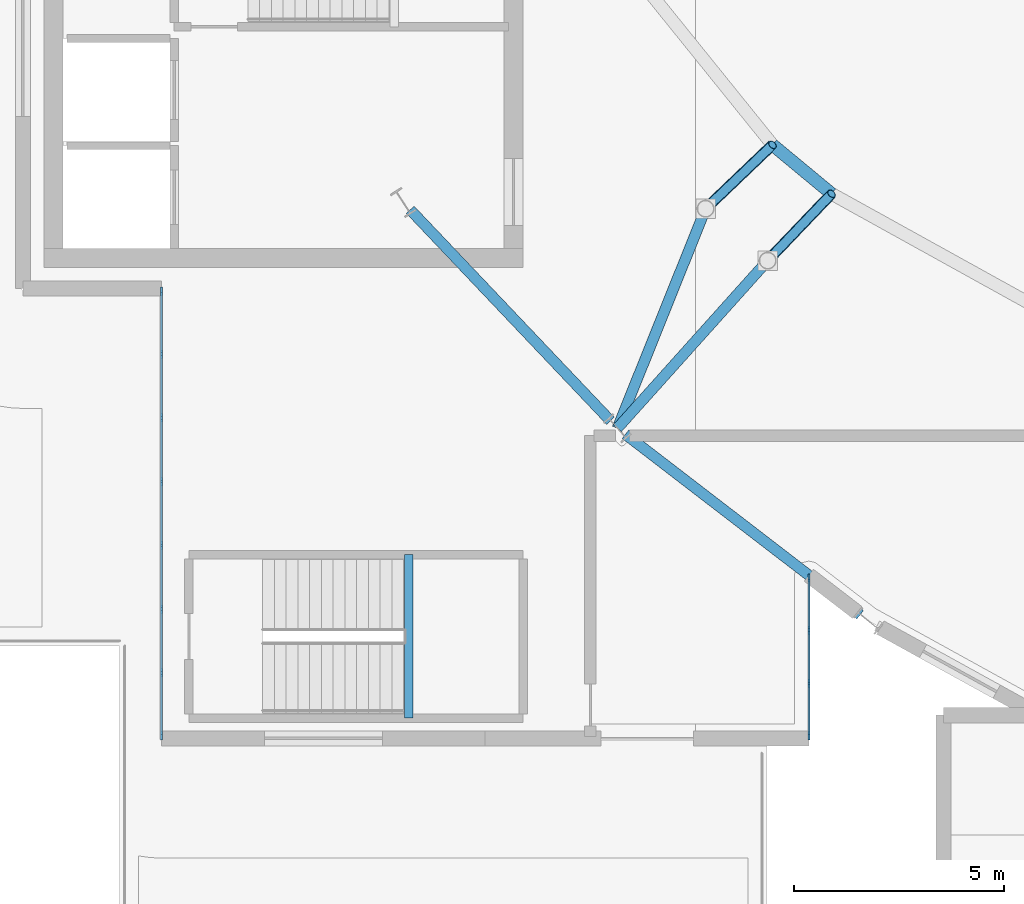
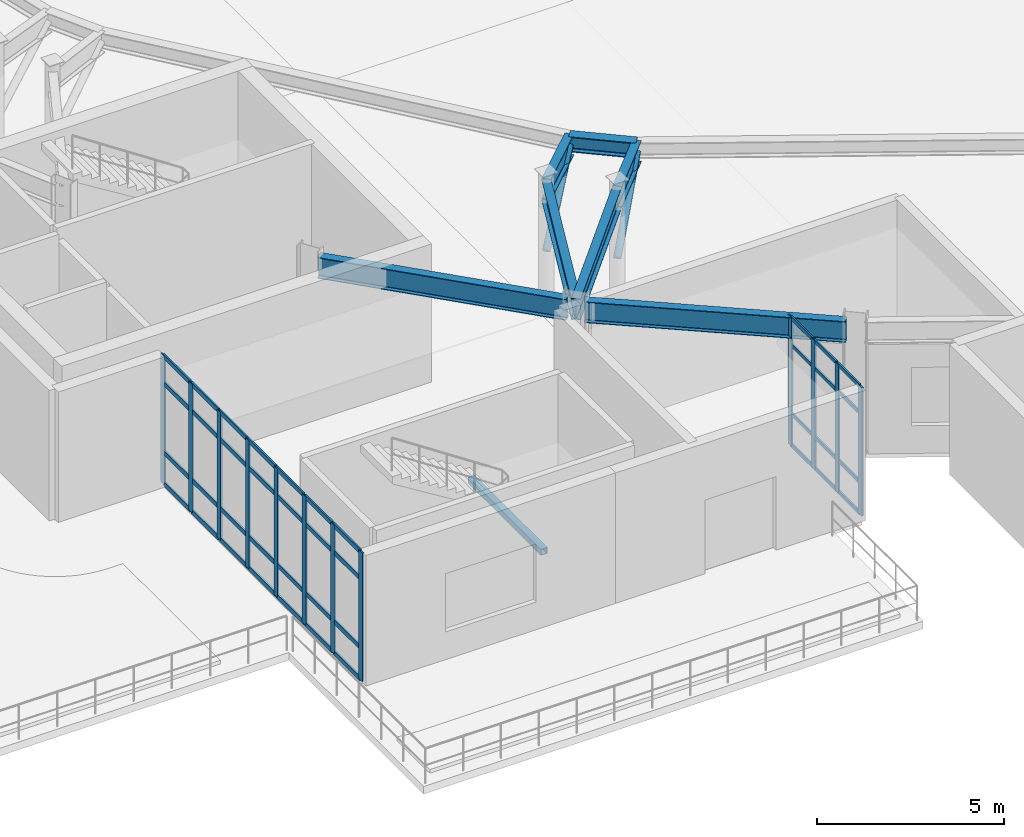
# One storey, part 13 of 48: 54 members, 8 beams, 2 elements without a shape of their own.
"""IFC4 building model written with IfcOpenShell, lengths in metres."""

import ifcopenshell
import ifcopenshell.guid

model = None  # the IFC model being written
_history = None  # IfcOwnerHistory: only IFC2X3 demands one
_inside = {}  # id of a spatial element -> (the spatial element, [elements in it])
_under = {}  # id of a project, library or spatial element -> (it, [spatial elements below it])
_declared = {}  # id of a project -> (the project, [libraries it declares])
_typed = {}  # id of a type object -> (the type object, [elements of that type])
_made_of = {}  # id of a material, layer set ... -> (it, [elements and type objects made of it])


def new_model(schema):
    """Start an empty IFC model of exactly this schema.

    Asked for "IFC4X3", IfcOpenShell would pick the latest addendum, in which some entities
    have other attributes; the version numbers below select the first issue.
    IFC2X3 requires an IfcOwnerHistory on every rooted entity: one is made here for all.
    """
    global model, _history
    if schema == "IFC4X3":
        model = ifcopenshell.file(schema_version=(4, 3, 0, 0))
    else:
        model = ifcopenshell.file(schema=schema)
    _inside.clear()
    _under.clear()
    _declared.clear()
    _typed.clear()
    _made_of.clear()
    _history = None
    if model.schema == "IFC2X3":
        org = make("IfcOrganization", Name="unknown")
        user = make(
            "IfcPersonAndOrganization",
            ThePerson=make("IfcPerson", FamilyName="unknown"),
            TheOrganization=org,
        )
        app = make(
            "IfcApplication",
            ApplicationDeveloper=org,
            Version="unknown",
            ApplicationFullName="unknown",
            ApplicationIdentifier="unknown",
        )
        _history = make(
            "IfcOwnerHistory",
            OwningUser=user,
            OwningApplication=app,
            ChangeAction="ADDED",
            CreationDate=0,
        )
    return model


def make(cls, **values):
    """One entity of the class cls with the attributes given. An attribute that is None is left unset."""
    return model.create_entity(
        cls, **{name: value for name, value in values.items() if value is not None}
    )


def rooted(cls, **values):
    """An entity with a GlobalId (a new one), such as an element, a storey or a relation."""
    return make(cls, GlobalId=ifcopenshell.guid.new(), OwnerHistory=_history, **values)


def si_unit(unit_type, name, prefix=None):
    """IfcSIUnit, for example si_unit("LENGTHUNIT", "METRE", prefix="MILLI")."""
    return make("IfcSIUnit", UnitType=unit_type, Prefix=prefix, Name=name)


def assignment(units):
    """IfcUnitAssignment: the units of a project."""
    return None if units is None else make("IfcUnitAssignment", Units=units)


def point(xyz):
    """IfcCartesianPoint."""
    return None if xyz is None else make("IfcCartesianPoint", Coordinates=xyz)


def direction(xyz):
    """IfcDirection."""
    return None if xyz is None else make("IfcDirection", DirectionRatios=xyz)


def frame(location, z_axis=None, x_axis=None):
    """IfcAxis2Placement3D, a coordinate frame: its origin and axes. An axis left out is left unset."""
    return make(
        "IfcAxis2Placement3D",
        Location=point(location),
        Axis=direction(z_axis),
        RefDirection=direction(x_axis),
    )


def frame_2d(location, x_axis=None):
    """IfcAxis2Placement2D, a coordinate frame in the plane: its origin and x axis."""
    return make(
        "IfcAxis2Placement2D", Location=point(location), RefDirection=direction(x_axis)
    )


def origin():
    """The frame at (0, 0, 0) with its axes left unset."""
    return frame((0.0, 0.0, 0.0))


def origin_2d():
    """The frame at (0, 0) in the plane with its x axis left unset."""
    return frame_2d((0.0, 0.0))


def place(relative_to, where):
    """IfcLocalPlacement: puts the frame where relative to a parent placement (None: the world)."""
    return make(
        "IfcLocalPlacement", PlacementRelTo=relative_to, RelativePlacement=where
    )


def context(
    kind, dimensions, precision=None, world=None, true_north=None, identifier=None
):
    """IfcGeometricRepresentationContext, for example the 3D "Model" context."""
    return make(
        "IfcGeometricRepresentationContext",
        ContextIdentifier=identifier,
        ContextType=kind,
        CoordinateSpaceDimension=dimensions,
        Precision=precision,
        WorldCoordinateSystem=world,
        TrueNorth=true_north,
    )


def subcontext(parent, identifier, kind, view, scale=None):
    """IfcGeometricRepresentationSubContext, for example "Body" below "Model"."""
    return make(
        "IfcGeometricRepresentationSubContext",
        ContextIdentifier=identifier,
        ContextType=kind,
        ParentContext=parent,
        TargetScale=scale,
        TargetView=view,
    )


def project(units=None, contexts=None):
    """IfcProject with its units and contexts."""
    return rooted(
        "IfcProject",
        Name="project",
        RepresentationContexts=contexts,
        UnitsInContext=assignment(units),
    )


def spatial(cls, under=None, at=None, **own):
    """A site, building, storey or space (cls), placed at a placement, below another one or the project."""
    s = rooted(cls, ObjectPlacement=at, **own)
    if under is not None:
        _under.setdefault(under.id(), (under, []))[1].append(s)
    return s


def profile(cls, at=None, kind="AREA", **sizes):
    """A parametric profile (cls). Its sizes go by their IFC names, for example OverallWidth=200.0."""
    return make(cls, ProfileType=kind, Position=at, **sizes)


def rectangle(**sizes):
    """IfcRectangleProfileDef."""
    return profile("IfcRectangleProfileDef", **sizes)


def hollow_rectangle(**sizes):
    """IfcRectangleHollowProfileDef."""
    return profile("IfcRectangleHollowProfileDef", **sizes)


def hollow_circle(**sizes):
    """IfcCircleHollowProfileDef."""
    return profile("IfcCircleHollowProfileDef", **sizes)


def i_section(**sizes):
    """IfcIShapeProfileDef."""
    return profile("IfcIShapeProfileDef", **sizes)


def extrude(swept, where, along, depth):
    """IfcExtrudedAreaSolid: the profile swept, set in the frame where, extruded along a direction by depth."""
    return make(
        "IfcExtrudedAreaSolid",
        SweptArea=swept,
        Position=where,
        ExtrudedDirection=direction(along),
        Depth=depth,
    )


def shape(context_of_items, identifier, shape_type, items):
    """IfcShapeRepresentation: the items that make up one representation, for example the "Body"."""
    return make(
        "IfcShapeRepresentation",
        ContextOfItems=context_of_items,
        RepresentationIdentifier=identifier,
        RepresentationType=shape_type,
        Items=items,
    )


def material(Name=None, Category=None):
    """IfcMaterial."""
    return make("IfcMaterial", Name=Name, Category=Category)


def material_profile(
    of_material, cross_section, Name=None, Category=None, Priority=None
):
    """IfcMaterialProfile: a cross section and its material."""
    return make(
        "IfcMaterialProfile",
        Name=Name,
        Material=of_material,
        Profile=cross_section,
        Priority=Priority,
        Category=Category,
    )


def profile_set(profiles, Name=None, composite=None):
    """IfcMaterialProfileSet."""
    return make(
        "IfcMaterialProfileSet",
        Name=Name,
        MaterialProfiles=profiles,
        CompositeProfile=composite,
    )


def made_of(thing, what):
    """Note that an element or type object is made of a material, layer set ...; save() writes the relation."""
    if what is not None:
        _made_of.setdefault(what.id(), (what, []))[1].append(thing)
    return thing


def type_object(cls, material=None, **own):
    """A type object (cls), such as IfcWallType, which elements share."""
    return made_of(rooted(cls, **own), material)


def element(
    cls,
    number,
    at=None,
    inside=None,
    cuts=None,
    type_object=None,
    material=None,
    context=None,
    identifier="Body",
    shape_type=None,
    held_by="IfcProductDefinitionShape",
    body=None,
    shapes=None,
    **own,
):
    """One element of the class cls, such as IfcWall. Its Tag is "e" and its number.

    at: its placement. inside: the storey or other place that contains it. cuts: it is an
    opening in that element (IfcRelVoidsElement). A single representation is given by context,
    identifier, shape_type and body (its items); several are given by shapes. held_by: the class
    of the entity that holds the representations. save() writes the other relations.
    """
    e = rooted(cls, Tag="e%d" % number, ObjectPlacement=at, **own)
    if body is not None:
        shapes = [shape(context, identifier, shape_type, body)]
    if shapes is not None:
        e.Representation = make(held_by, Representations=shapes)
    if inside is not None:
        _inside.setdefault(inside.id(), (inside, []))[1].append(e)
    if cuts is not None:
        rooted(
            "IfcRelVoidsElement", RelatingBuildingElement=cuts, RelatedOpeningElement=e
        )
    if type_object is not None:
        _typed.setdefault(type_object.id(), (type_object, []))[1].append(e)
    return made_of(e, material)


def aggregate(whole, parts):
    """IfcRelAggregates: a whole, such as a stair, and the parts it consists of."""
    return rooted("IfcRelAggregates", RelatingObject=whole, RelatedObjects=parts)


def save(model, path):
    """Write the relations noted so far, then the file.

    IfcRelAggregates (storeys below a building ...), IfcRelContainedInSpatialStructure (elements
    in a storey), IfcRelDefinesByType, IfcRelAssociatesMaterial and IfcRelDeclares: one each for
    every whole, place, type object, material and project.
    """
    for whole, parts in _under.values():
        aggregate(whole, parts)
    for where, things in _inside.values():
        rooted(
            "IfcRelContainedInSpatialStructure",
            RelatedElements=things,
            RelatingStructure=where,
        )
    for kind, things in _typed.values():
        rooted("IfcRelDefinesByType", RelatedObjects=things, RelatingType=kind)
    for what, things in _made_of.values():
        rooted("IfcRelAssociatesMaterial", RelatedObjects=things, RelatingMaterial=what)
    for by, libraries in _declared.values():
        rooted("IfcRelDeclares", RelatingContext=by, RelatedDefinitions=libraries)
    model.write(path)


model = new_model("IFC4")

# Units and contexts
model_context = context("Model", 3, precision=1e-05, world=origin(), true_north=direction((0.0, 1.0)))
body_context = subcontext(model_context, "Body", "Model", "MODEL_VIEW")
ifc_project = project(units=[si_unit("LENGTHUNIT", "METRE"), si_unit("AREAUNIT", "SQUARE_METRE"), si_unit("VOLUMEUNIT", "CUBIC_METRE"), si_unit("PLANEANGLEUNIT", "RADIAN"), si_unit("MASSUNIT", "GRAM", prefix="KILO")], contexts=[model_context])

# Site, building, storey
site_placement = place(None, origin())
site = spatial("IfcSite", under=ifc_project, at=site_placement, CompositionType="ELEMENT")
building_placement = place(site_placement, origin())
building = spatial("IfcBuilding", under=site, at=building_placement, Name="Glasvene Arena", CompositionType="ELEMENT")
storey_placement = place(building_placement, frame((0.0, 0.0, 19.5)))
storey = spatial("IfcBuildingStorey", under=building, at=storey_placement, Name="L04", CompositionType="ELEMENT", Elevation=19.5)

# Beams
ifc_material_1 = material(Name="Steel S355J2", Category="steel")
ifc_material_profile_1 = material_profile(ifc_material_1, i_section(OverallWidth=0.300048828125, OverallDepth=0.5, WebThickness=0.014404296875, FlangeThickness=0.028076171875, FilletRadius=0.027099609375, at=origin_2d()), Name="HEB 500")
ifc_profile_set_1 = profile_set([ifc_material_profile_1], Name="Steel S355J2")
beam_type_1 = type_object("IfcBeamType", Name="BM-EAVE-CANT", PredefinedType="BEAM", material=ifc_profile_set_1)
beam_1_placement = place(storey_placement, frame((60.333984375, 47.9208984375, 4.0), z_axis=(0.770027193344, -0.638011066919, 0.0), x_axis=(0.638011066919, 0.770027193344, 0.0)))
element("IfcBeam", 1, at=beam_1_placement, inside=storey, type_object=beam_type_1, Name="Gondola inner ring girder 20", PredefinedType="BEAM", context=body_context, shape_type="SweptSolid", body=[
    extrude(i_section(OverallWidth=0.300048828125, OverallDepth=0.5, WebThickness=0.014404296875, FlangeThickness=0.028076171875, FilletRadius=0.027099609375, at=origin_2d()), origin(), (0.0, 0.0, 1.0), 1.8251953125),
])
ifc_material_profile_2 = material_profile(ifc_material_1, i_section(OverallWidth=0.253662109375, OverallDepth=0.68359375, WebThickness=0.012451171875, FlangeThickness=0.01904296875, FilletRadius=0.01513671875, at=origin_2d()), Name="UKB 686x254x140")
ifc_profile_set_2 = profile_set([ifc_material_profile_2], Name="Steel S355J2")
beam_type_2 = type_object("IfcBeamType", Name="BM-GIRD-686", PredefinedType="BEAM", material=ifc_profile_set_2)
beam_2_placement = place(storey_placement, frame((51.71435546875, 46.37548828125, 3.908203125), z_axis=(0.688366558931, -0.725362999157, 0.0), x_axis=(0.725362999157, 0.688366558931, 0.0)))
element("IfcBeam", 2, at=beam_2_placement, inside=storey, type_object=beam_type_2, Name="Bowl ring chord beam L04-25", PredefinedType="BEAM", context=body_context, shape_type="SweptSolid", body=[
    extrude(i_section(OverallWidth=0.253662109375, OverallDepth=0.68359375, WebThickness=0.012451171875, FlangeThickness=0.01904296875, FilletRadius=0.01513671875, at=origin_2d()), origin(), (0.0, 0.0, 1.0), 6.92236328125),
])
beam_3_placement = place(storey_placement, frame((56.8349609375, 41.033935546875, 3.908203125), z_axis=(0.792832644474, -0.609439412786, 0.0), x_axis=(0.609439412786, 0.792832644474, 0.0)))
element("IfcBeam", 3, at=beam_3_placement, inside=storey, type_object=beam_type_2, Name="Bowl ring chord beam L04-26", PredefinedType="BEAM", context=body_context, shape_type="SweptSolid", body=[
    extrude(i_section(OverallWidth=0.253662109375, OverallDepth=0.68359375, WebThickness=0.012451171875, FlangeThickness=0.01904296875, FilletRadius=0.01513671875, at=origin_2d()), origin(), (0.0, 0.0, 1.0), 7.044921875),
])
beam_4_placement = place(storey_placement, frame((58.743408203125, 46.40087890625, 3.908203125), z_axis=(-0.372976095384, -0.927840952034, 0.0), x_axis=(0.927840952034, -0.372976095384, 0.0)))
element("IfcBeam", 4, at=beam_4_placement, inside=storey, type_object=beam_type_2, Name="Gondola outer floor beam 20", PredefinedType="BEAM", context=body_context, shape_type="SweptSolid", body=[
    extrude(i_section(OverallWidth=0.253662109375, OverallDepth=0.68359375, WebThickness=0.012451171875, FlangeThickness=0.01904296875, FilletRadius=0.01513671875, at=origin_2d()), origin(), (0.0, 0.0, 1.0), 5.626708984375),
])
beam_5_placement = place(storey_placement, frame((60.333984375, 47.9208984375, 3.908203125), z_axis=(-0.722959897674, -0.690889995843, 0.0), x_axis=(0.690889995843, -0.722959897674, 0.0)))
element("IfcBeam", 5, at=beam_5_placement, inside=storey, type_object=beam_type_2, Name="Gondola inner bracket beam 20", PredefinedType="BEAM", context=body_context, shape_type="SweptSolid", body=[
    extrude(i_section(OverallWidth=0.253662109375, OverallDepth=0.68359375, WebThickness=0.012451171875, FlangeThickness=0.01904296875, FilletRadius=0.01513671875, at=origin_2d()), origin(), (0.0, 0.0, 1.0), 2.2001953125),
])
beam_6_placement = place(storey_placement, frame((60.219482421875, 45.165771484375, 3.908203125), z_axis=(-0.667691455448, -0.744438123904, 0.0), x_axis=(0.744438123904, -0.667691455448, 0.0)))
element("IfcBeam", 6, at=beam_6_placement, inside=storey, type_object=beam_type_2, Name="Gondola outer floor beam 21", PredefinedType="BEAM", context=body_context, shape_type="SweptSolid", body=[
    extrude(i_section(OverallWidth=0.253662109375, OverallDepth=0.68359375, WebThickness=0.012451171875, FlangeThickness=0.01904296875, FilletRadius=0.01513671875, at=origin_2d()), origin(), (0.0, 0.0, 1.0), 5.353759765625),
])
beam_7_placement = place(storey_placement, frame((61.739501953125, 46.75634765625, 3.908203125), z_axis=(-0.690889995843, -0.722959897674, 0.0), x_axis=(0.722959897674, -0.690889995843, 0.0)))
element("IfcBeam", 7, at=beam_7_placement, inside=storey, type_object=beam_type_2, Name="Gondola inner bracket beam 21", PredefinedType="BEAM", context=body_context, shape_type="SweptSolid", body=[
    extrude(i_section(OverallWidth=0.253662109375, OverallDepth=0.68359375, WebThickness=0.012451171875, FlangeThickness=0.01904296875, FilletRadius=0.01513671875, at=origin_2d()), origin(), (0.0, 0.0, 1.0), 2.2001953125),
])
ifc_material_profile_3 = material_profile(ifc_material_1, hollow_rectangle(XDim=0.199951171875, YDim=0.199951171875, WallThickness=0.010009765625, at=origin_2d()), Name="SHS 200x200x10.0")
ifc_profile_set_3 = profile_set([ifc_material_profile_3], Name="Steel S355J2")
beam_type_3 = type_object("IfcBeamType", Name="BM-LINTEL-200", PredefinedType="LINTEL", material=ifc_profile_set_3)
beam_8_placement = place(storey_placement, frame((51.679931640625, 34.280029296875, 1.929931640625), z_axis=(0.0, 1.0, 0.0), x_axis=(-1.0, 0.0, 0.0)))
element("IfcBeam", 8, at=beam_8_placement, inside=storey, type_object=beam_type_3, Name="Stair half-landing support beam ST-05-L04", PredefinedType="LINTEL", context=body_context, shape_type="SweptSolid", body=[
    extrude(hollow_rectangle(XDim=0.199951171875, YDim=0.199951171875, WallThickness=0.010009765625, at=origin_2d()), origin(), (0.0, 0.0, 1.0), 3.889892578125),
])

# Curtain wall, members
ifc_material_2 = material(Name="Low-emissivity laminated double glazing", Category="glass")
curtain_wall_type_1 = type_object("IfcCurtainWallType", Name="CW-FAC-L03-380x419", PredefinedType="USERDEFINED", material=ifc_material_2)
curtain_wall_1_placement = place(storey_placement, frame((61.199951171875, 37.638671875, 0.0)))
curtain_wall_1 = element("IfcCurtainWall", 9, at=curtain_wall_1_placement, inside=storey, type_object=curtain_wall_type_1, Name="Unitised curtain wall CW-F-L04-180-612-357-1", ObjectType="CURTAIN WALL", PredefinedType="USERDEFINED")
ifc_material_3 = material(Name="Anodised architectural aluminium", Category="aluminium")
ifc_material_profile_4 = material_profile(ifc_material_3, rectangle(XDim=0.050048828125, YDim=0.199951171875, at=origin_2d()), Name="ALU MULLION 50x200")
ifc_profile_set_4 = profile_set([ifc_material_profile_4], Name="Anodised architectural aluminium")
member_type_1 = type_object("IfcMemberType", Name="CW-MUL-180", PredefinedType="MULLION", material=ifc_profile_set_4)
member_1_placement = place(storey_placement, frame((61.199951171875, 37.613525390625, 0.06005859375), z_axis=(0.0, 0.0, 1.0), x_axis=(1.0, 0.0, 0.0)))
member_1 = element("IfcMember", 10, at=member_1_placement, type_object=member_type_1, Name="CW-044 mullion 1", PredefinedType="MULLION", context=body_context, shape_type="SweptSolid", body=[
    extrude(rectangle(XDim=0.050048828125, YDim=0.199951171875, at=origin_2d()), origin(), (0.0, 0.0, 1.0), 4.18994140625),
])
member_2_placement = place(storey_placement, frame((61.199951171875, 36.372314453125, 0.06005859375), z_axis=(0.0, 0.0, 1.0), x_axis=(1.0, 0.0, 0.0)))
member_2 = element("IfcMember", 11, at=member_2_placement, type_object=member_type_1, Name="CW-044 mullion 2", PredefinedType="MULLION", context=body_context, shape_type="SweptSolid", body=[
    extrude(rectangle(XDim=0.050048828125, YDim=0.199951171875, at=origin_2d()), origin(), (0.0, 0.0, 1.0), 4.18994140625),
])
member_3_placement = place(storey_placement, frame((61.199951171875, 35.106201171875, 0.06005859375), z_axis=(0.0, 0.0, 1.0), x_axis=(1.0, 0.0, 0.0)))
member_3 = element("IfcMember", 12, at=member_3_placement, type_object=member_type_1, Name="CW-044 mullion 3", PredefinedType="MULLION", context=body_context, shape_type="SweptSolid", body=[
    extrude(rectangle(XDim=0.050048828125, YDim=0.199951171875, at=origin_2d()), origin(), (0.0, 0.0, 1.0), 4.18994140625),
])
member_4_placement = place(storey_placement, frame((61.199951171875, 33.864990234375, 0.06005859375), z_axis=(0.0, 0.0, 1.0), x_axis=(1.0, 0.0, 0.0)))
member_4 = element("IfcMember", 13, at=member_4_placement, type_object=member_type_1, Name="CW-044 mullion 4", PredefinedType="MULLION", context=body_context, shape_type="SweptSolid", body=[
    extrude(rectangle(XDim=0.050048828125, YDim=0.199951171875, at=origin_2d()), origin(), (0.0, 0.0, 1.0), 4.18994140625),
])

curtain_wall_type_2 = type_object("IfcCurtainWallType", Name="CW-FAC-L03-1062x419", PredefinedType="USERDEFINED", material=ifc_material_2)
curtain_wall_2_placement = place(storey_placement, frame((45.800048828125, 33.840087890625, 0.0)))
curtain_wall_2 = element("IfcCurtainWall", 14, at=curtain_wall_2_placement, inside=storey, type_object=curtain_wall_type_2, Name="Unitised curtain wall CW-F-L04-180-458-392-4", ObjectType="CURTAIN WALL", PredefinedType="USERDEFINED")
member_5_placement = place(storey_placement, frame((45.800048828125, 33.864990234375, 0.06005859375), z_axis=(0.0, 0.0, 1.0), x_axis=(-1.0, 0.0, 0.0)))
member_5 = element("IfcMember", 15, at=member_5_placement, type_object=member_type_1, Name="CW-040 mullion 1", PredefinedType="MULLION", context=body_context, shape_type="SweptSolid", body=[
    extrude(rectangle(XDim=0.050048828125, YDim=0.199951171875, at=origin_2d()), origin(), (0.0, 0.0, 1.0), 4.18994140625),
])
member_6_placement = place(storey_placement, frame((45.800048828125, 35.357177734375, 0.06005859375), z_axis=(0.0, 0.0, 1.0), x_axis=(-1.0, 0.0, 0.0)))
member_6 = element("IfcMember", 16, at=member_6_placement, type_object=member_type_1, Name="CW-040 mullion 2", PredefinedType="MULLION", context=body_context, shape_type="SweptSolid", body=[
    extrude(rectangle(XDim=0.050048828125, YDim=0.199951171875, at=origin_2d()), origin(), (0.0, 0.0, 1.0), 4.18994140625),
])
member_7_placement = place(storey_placement, frame((45.800048828125, 36.874267578125, 0.06005859375), z_axis=(0.0, 0.0, 1.0), x_axis=(-1.0, 0.0, 0.0)))
member_7 = element("IfcMember", 17, at=member_7_placement, type_object=member_type_1, Name="CW-040 mullion 3", PredefinedType="MULLION", context=body_context, shape_type="SweptSolid", body=[
    extrude(rectangle(XDim=0.050048828125, YDim=0.199951171875, at=origin_2d()), origin(), (0.0, 0.0, 1.0), 4.18994140625),
])
member_8_placement = place(storey_placement, frame((45.800048828125, 38.391357421875, 0.06005859375), z_axis=(0.0, 0.0, 1.0), x_axis=(-1.0, 0.0, 0.0)))
member_8 = element("IfcMember", 18, at=member_8_placement, type_object=member_type_1, Name="CW-040 mullion 4", PredefinedType="MULLION", context=body_context, shape_type="SweptSolid", body=[
    extrude(rectangle(XDim=0.050048828125, YDim=0.199951171875, at=origin_2d()), origin(), (0.0, 0.0, 1.0), 4.18994140625),
])
member_9_placement = place(storey_placement, frame((45.800048828125, 39.90869140625, 0.06005859375), z_axis=(0.0, 0.0, 1.0), x_axis=(-1.0, 0.0, 0.0)))
member_9 = element("IfcMember", 19, at=member_9_placement, type_object=member_type_1, Name="CW-040 mullion 5", PredefinedType="MULLION", context=body_context, shape_type="SweptSolid", body=[
    extrude(rectangle(XDim=0.050048828125, YDim=0.199951171875, at=origin_2d()), origin(), (0.0, 0.0, 1.0), 4.18994140625),
])
member_10_placement = place(storey_placement, frame((45.800048828125, 41.42578125, 0.06005859375), z_axis=(0.0, 0.0, 1.0), x_axis=(-1.0, 0.0, 0.0)))
member_10 = element("IfcMember", 20, at=member_10_placement, type_object=member_type_1, Name="CW-040 mullion 6", PredefinedType="MULLION", context=body_context, shape_type="SweptSolid", body=[
    extrude(rectangle(XDim=0.050048828125, YDim=0.199951171875, at=origin_2d()), origin(), (0.0, 0.0, 1.0), 4.18994140625),
])
member_11_placement = place(storey_placement, frame((45.800048828125, 42.94287109375, 0.06005859375), z_axis=(0.0, 0.0, 1.0), x_axis=(-1.0, 0.0, 0.0)))
member_11 = element("IfcMember", 21, at=member_11_placement, type_object=member_type_1, Name="CW-040 mullion 7", PredefinedType="MULLION", context=body_context, shape_type="SweptSolid", body=[
    extrude(rectangle(XDim=0.050048828125, YDim=0.199951171875, at=origin_2d()), origin(), (0.0, 0.0, 1.0), 4.18994140625),
])
member_12_placement = place(storey_placement, frame((45.800048828125, 44.43505859375, 0.06005859375), z_axis=(0.0, 0.0, 1.0), x_axis=(-1.0, 0.0, 0.0)))
member_12 = element("IfcMember", 22, at=member_12_placement, type_object=member_type_1, Name="CW-040 mullion 8", PredefinedType="MULLION", context=body_context, shape_type="SweptSolid", body=[
    extrude(rectangle(XDim=0.050048828125, YDim=0.199951171875, at=origin_2d()), origin(), (0.0, 0.0, 1.0), 4.18994140625),
])

# Member
ifc_material_profile_5 = material_profile(ifc_material_3, rectangle(XDim=0.050048828125, YDim=0.1201171875, at=origin_2d()), Name="ALU TRANSOM 50x120")
ifc_profile_set_5 = profile_set([ifc_material_profile_5], Name="Anodised architectural aluminium")
member_type_2 = type_object("IfcMemberType", Name="CW-TRN-120", PredefinedType="USERDEFINED", material=ifc_profile_set_5)
member_13_placement = place(storey_placement, frame((61.199951171875, 37.588623046875, 0.0849609375), z_axis=(0.0, -1.0, 0.0), x_axis=(1.0, 0.0, 0.0)))
member_13 = element("IfcMember", 23, at=member_13_placement, type_object=member_type_2, Name="CW-044 transom 1.1", ObjectType="TRANSOM", PredefinedType="USERDEFINED", context=body_context, shape_type="SweptSolid", body=[
    extrude(rectangle(XDim=0.050048828125, YDim=0.1201171875, at=origin_2d()), origin(), (0.0, 0.0, 1.0), 1.191162109375),
])

member_14_placement = place(storey_placement, frame((61.199951171875, 37.588623046875, 1.10009765625), z_axis=(0.0, -1.0, 0.0), x_axis=(1.0, 0.0, 0.0)))
member_14 = element("IfcMember", 24, at=member_14_placement, type_object=member_type_2, Name="CW-044 transom 1.2", ObjectType="TRANSOM", PredefinedType="USERDEFINED", context=body_context, shape_type="SweptSolid", body=[
    extrude(rectangle(XDim=0.050048828125, YDim=0.1201171875, at=origin_2d()), origin(), (0.0, 0.0, 1.0), 1.191162109375),
])

member_15_placement = place(storey_placement, frame((61.199951171875, 37.588623046875, 3.35009765625), z_axis=(0.0, -1.0, 0.0), x_axis=(1.0, 0.0, 0.0)))
member_15 = element("IfcMember", 25, at=member_15_placement, type_object=member_type_2, Name="CW-044 transom 1.3", ObjectType="TRANSOM", PredefinedType="USERDEFINED", context=body_context, shape_type="SweptSolid", body=[
    extrude(rectangle(XDim=0.050048828125, YDim=0.1201171875, at=origin_2d()), origin(), (0.0, 0.0, 1.0), 1.191162109375),
])

member_16_placement = place(storey_placement, frame((61.199951171875, 37.588623046875, 4.22509765625), z_axis=(0.0, -1.0, 0.0), x_axis=(1.0, 0.0, 0.0)))
member_16 = element("IfcMember", 26, at=member_16_placement, type_object=member_type_2, Name="CW-044 transom 1.4", ObjectType="TRANSOM", PredefinedType="USERDEFINED", context=body_context, shape_type="SweptSolid", body=[
    extrude(rectangle(XDim=0.050048828125, YDim=0.1201171875, at=origin_2d()), origin(), (0.0, 0.0, 1.0), 1.191162109375),
])

member_17_placement = place(storey_placement, frame((61.199951171875, 36.347412109375, 0.0849609375), z_axis=(0.0, -1.0, 0.0), x_axis=(1.0, 0.0, 0.0)))
member_17 = element("IfcMember", 27, at=member_17_placement, type_object=member_type_2, Name="CW-044 transom 2.1", ObjectType="TRANSOM", PredefinedType="USERDEFINED", context=body_context, shape_type="SweptSolid", body=[
    extrude(rectangle(XDim=0.050048828125, YDim=0.1201171875, at=origin_2d()), origin(), (0.0, 0.0, 1.0), 1.21630859375),
])

member_18_placement = place(storey_placement, frame((61.199951171875, 36.347412109375, 1.10009765625), z_axis=(0.0, -1.0, 0.0), x_axis=(1.0, 0.0, 0.0)))
member_18 = element("IfcMember", 28, at=member_18_placement, type_object=member_type_2, Name="CW-044 transom 2.2", ObjectType="TRANSOM", PredefinedType="USERDEFINED", context=body_context, shape_type="SweptSolid", body=[
    extrude(rectangle(XDim=0.050048828125, YDim=0.1201171875, at=origin_2d()), origin(), (0.0, 0.0, 1.0), 1.21630859375),
])

member_19_placement = place(storey_placement, frame((61.199951171875, 36.347412109375, 3.35009765625), z_axis=(0.0, -1.0, 0.0), x_axis=(1.0, 0.0, 0.0)))
member_19 = element("IfcMember", 29, at=member_19_placement, type_object=member_type_2, Name="CW-044 transom 2.3", ObjectType="TRANSOM", PredefinedType="USERDEFINED", context=body_context, shape_type="SweptSolid", body=[
    extrude(rectangle(XDim=0.050048828125, YDim=0.1201171875, at=origin_2d()), origin(), (0.0, 0.0, 1.0), 1.21630859375),
])

member_20_placement = place(storey_placement, frame((61.199951171875, 36.347412109375, 4.22509765625), z_axis=(0.0, -1.0, 0.0), x_axis=(1.0, 0.0, 0.0)))
member_20 = element("IfcMember", 30, at=member_20_placement, type_object=member_type_2, Name="CW-044 transom 2.4", ObjectType="TRANSOM", PredefinedType="USERDEFINED", context=body_context, shape_type="SweptSolid", body=[
    extrude(rectangle(XDim=0.050048828125, YDim=0.1201171875, at=origin_2d()), origin(), (0.0, 0.0, 1.0), 1.21630859375),
])

member_21_placement = place(storey_placement, frame((61.199951171875, 35.081298828125, 0.0849609375), z_axis=(0.0, -1.0, 0.0), x_axis=(1.0, 0.0, 0.0)))
member_21 = element("IfcMember", 31, at=member_21_placement, type_object=member_type_2, Name="CW-044 transom 3.1", ObjectType="TRANSOM", PredefinedType="USERDEFINED", context=body_context, shape_type="SweptSolid", body=[
    extrude(rectangle(XDim=0.050048828125, YDim=0.1201171875, at=origin_2d()), origin(), (0.0, 0.0, 1.0), 1.19140625),
])

member_22_placement = place(storey_placement, frame((61.199951171875, 35.081298828125, 1.10009765625), z_axis=(0.0, -1.0, 0.0), x_axis=(1.0, 0.0, 0.0)))
member_22 = element("IfcMember", 32, at=member_22_placement, type_object=member_type_2, Name="CW-044 transom 3.2", ObjectType="TRANSOM", PredefinedType="USERDEFINED", context=body_context, shape_type="SweptSolid", body=[
    extrude(rectangle(XDim=0.050048828125, YDim=0.1201171875, at=origin_2d()), origin(), (0.0, 0.0, 1.0), 1.19140625),
])

member_23_placement = place(storey_placement, frame((61.199951171875, 35.081298828125, 3.35009765625), z_axis=(0.0, -1.0, 0.0), x_axis=(1.0, 0.0, 0.0)))
member_23 = element("IfcMember", 33, at=member_23_placement, type_object=member_type_2, Name="CW-044 transom 3.3", ObjectType="TRANSOM", PredefinedType="USERDEFINED", context=body_context, shape_type="SweptSolid", body=[
    extrude(rectangle(XDim=0.050048828125, YDim=0.1201171875, at=origin_2d()), origin(), (0.0, 0.0, 1.0), 1.19140625),
])

member_24_placement = place(storey_placement, frame((61.199951171875, 35.081298828125, 4.22509765625), z_axis=(0.0, -1.0, 0.0), x_axis=(1.0, 0.0, 0.0)))
member_24 = element("IfcMember", 34, at=member_24_placement, type_object=member_type_2, Name="CW-044 transom 3.4", ObjectType="TRANSOM", PredefinedType="USERDEFINED", context=body_context, shape_type="SweptSolid", body=[
    extrude(rectangle(XDim=0.050048828125, YDim=0.1201171875, at=origin_2d()), origin(), (0.0, 0.0, 1.0), 1.19140625),
])

aggregate(curtain_wall_1, [member_1, member_2, member_3, member_4, member_13, member_14, member_15, member_16, member_17, member_18, member_19, member_20, member_21, member_22, member_23, member_24])

ifc_material_profile_6 = material_profile(ifc_material_3, rectangle(XDim=0.050048828125, YDim=0.14990234375, at=origin_2d()), Name="ALU TRANSOM 50x150")
ifc_profile_set_6 = profile_set([ifc_material_profile_6], Name="Anodised architectural aluminium")
member_type_3 = type_object("IfcMemberType", Name="CW-TRN-150", PredefinedType="USERDEFINED", material=ifc_profile_set_6)
member_25_placement = place(storey_placement, frame((45.800048828125, 33.889892578125, 0.0849609375), z_axis=(0.0, 1.0, 0.0), x_axis=(-1.0, 0.0, 0.0)))
member_25 = element("IfcMember", 35, at=member_25_placement, type_object=member_type_3, Name="CW-040 transom 1.1", ObjectType="TRANSOM", PredefinedType="USERDEFINED", context=body_context, shape_type="SweptSolid", body=[
    extrude(rectangle(XDim=0.050048828125, YDim=0.14990234375, at=origin_2d()), origin(), (0.0, 0.0, 1.0), 1.442138671875),
])

member_26_placement = place(storey_placement, frame((45.800048828125, 33.889892578125, 1.10009765625), z_axis=(0.0, 1.0, 0.0), x_axis=(-1.0, 0.0, 0.0)))
member_26 = element("IfcMember", 36, at=member_26_placement, type_object=member_type_3, Name="CW-040 transom 1.2", ObjectType="TRANSOM", PredefinedType="USERDEFINED", context=body_context, shape_type="SweptSolid", body=[
    extrude(rectangle(XDim=0.050048828125, YDim=0.14990234375, at=origin_2d()), origin(), (0.0, 0.0, 1.0), 1.442138671875),
])

member_27_placement = place(storey_placement, frame((45.800048828125, 33.889892578125, 3.35009765625), z_axis=(0.0, 1.0, 0.0), x_axis=(-1.0, 0.0, 0.0)))
member_27 = element("IfcMember", 37, at=member_27_placement, type_object=member_type_3, Name="CW-040 transom 1.3", ObjectType="TRANSOM", PredefinedType="USERDEFINED", context=body_context, shape_type="SweptSolid", body=[
    extrude(rectangle(XDim=0.050048828125, YDim=0.14990234375, at=origin_2d()), origin(), (0.0, 0.0, 1.0), 1.442138671875),
])

member_28_placement = place(storey_placement, frame((45.800048828125, 33.889892578125, 4.22509765625), z_axis=(0.0, 1.0, 0.0), x_axis=(-1.0, 0.0, 0.0)))
member_28 = element("IfcMember", 38, at=member_28_placement, type_object=member_type_3, Name="CW-040 transom 1.4", ObjectType="TRANSOM", PredefinedType="USERDEFINED", context=body_context, shape_type="SweptSolid", body=[
    extrude(rectangle(XDim=0.050048828125, YDim=0.14990234375, at=origin_2d()), origin(), (0.0, 0.0, 1.0), 1.442138671875),
])

member_29_placement = place(storey_placement, frame((45.800048828125, 35.382080078125, 0.0849609375), z_axis=(0.0, 1.0, 0.0), x_axis=(-1.0, 0.0, 0.0)))
member_29 = element("IfcMember", 39, at=member_29_placement, type_object=member_type_3, Name="CW-040 transom 2.1", ObjectType="TRANSOM", PredefinedType="USERDEFINED", context=body_context, shape_type="SweptSolid", body=[
    extrude(rectangle(XDim=0.050048828125, YDim=0.14990234375, at=origin_2d()), origin(), (0.0, 0.0, 1.0), 1.46728515625),
])

member_30_placement = place(storey_placement, frame((45.800048828125, 35.382080078125, 1.10009765625), z_axis=(0.0, 1.0, 0.0), x_axis=(-1.0, 0.0, 0.0)))
member_30 = element("IfcMember", 40, at=member_30_placement, type_object=member_type_3, Name="CW-040 transom 2.2", ObjectType="TRANSOM", PredefinedType="USERDEFINED", context=body_context, shape_type="SweptSolid", body=[
    extrude(rectangle(XDim=0.050048828125, YDim=0.14990234375, at=origin_2d()), origin(), (0.0, 0.0, 1.0), 1.46728515625),
])

member_31_placement = place(storey_placement, frame((45.800048828125, 35.382080078125, 3.35009765625), z_axis=(0.0, 1.0, 0.0), x_axis=(-1.0, 0.0, 0.0)))
member_31 = element("IfcMember", 41, at=member_31_placement, type_object=member_type_3, Name="CW-040 transom 2.3", ObjectType="TRANSOM", PredefinedType="USERDEFINED", context=body_context, shape_type="SweptSolid", body=[
    extrude(rectangle(XDim=0.050048828125, YDim=0.14990234375, at=origin_2d()), origin(), (0.0, 0.0, 1.0), 1.46728515625),
])

member_32_placement = place(storey_placement, frame((45.800048828125, 35.382080078125, 4.22509765625), z_axis=(0.0, 1.0, 0.0), x_axis=(-1.0, 0.0, 0.0)))
member_32 = element("IfcMember", 42, at=member_32_placement, type_object=member_type_3, Name="CW-040 transom 2.4", ObjectType="TRANSOM", PredefinedType="USERDEFINED", context=body_context, shape_type="SweptSolid", body=[
    extrude(rectangle(XDim=0.050048828125, YDim=0.14990234375, at=origin_2d()), origin(), (0.0, 0.0, 1.0), 1.46728515625),
])

member_33_placement = place(storey_placement, frame((45.800048828125, 36.899169921875, 0.0849609375), z_axis=(0.0, 1.0, 0.0), x_axis=(-1.0, 0.0, 0.0)))
member_33 = element("IfcMember", 43, at=member_33_placement, type_object=member_type_3, Name="CW-040 transom 3.1", ObjectType="TRANSOM", PredefinedType="USERDEFINED", context=body_context, shape_type="SweptSolid", body=[
    extrude(rectangle(XDim=0.050048828125, YDim=0.14990234375, at=origin_2d()), origin(), (0.0, 0.0, 1.0), 1.46728515625),
])

member_34_placement = place(storey_placement, frame((45.800048828125, 36.899169921875, 1.10009765625), z_axis=(0.0, 1.0, 0.0), x_axis=(-1.0, 0.0, 0.0)))
member_34 = element("IfcMember", 44, at=member_34_placement, type_object=member_type_3, Name="CW-040 transom 3.2", ObjectType="TRANSOM", PredefinedType="USERDEFINED", context=body_context, shape_type="SweptSolid", body=[
    extrude(rectangle(XDim=0.050048828125, YDim=0.14990234375, at=origin_2d()), origin(), (0.0, 0.0, 1.0), 1.46728515625),
])

member_35_placement = place(storey_placement, frame((45.800048828125, 36.899169921875, 3.35009765625), z_axis=(0.0, 1.0, 0.0), x_axis=(-1.0, 0.0, 0.0)))
member_35 = element("IfcMember", 45, at=member_35_placement, type_object=member_type_3, Name="CW-040 transom 3.3", ObjectType="TRANSOM", PredefinedType="USERDEFINED", context=body_context, shape_type="SweptSolid", body=[
    extrude(rectangle(XDim=0.050048828125, YDim=0.14990234375, at=origin_2d()), origin(), (0.0, 0.0, 1.0), 1.46728515625),
])

member_36_placement = place(storey_placement, frame((45.800048828125, 36.899169921875, 4.22509765625), z_axis=(0.0, 1.0, 0.0), x_axis=(-1.0, 0.0, 0.0)))
member_36 = element("IfcMember", 46, at=member_36_placement, type_object=member_type_3, Name="CW-040 transom 3.4", ObjectType="TRANSOM", PredefinedType="USERDEFINED", context=body_context, shape_type="SweptSolid", body=[
    extrude(rectangle(XDim=0.050048828125, YDim=0.14990234375, at=origin_2d()), origin(), (0.0, 0.0, 1.0), 1.46728515625),
])

member_37_placement = place(storey_placement, frame((45.800048828125, 38.41650390625, 0.0849609375), z_axis=(0.0, 1.0, 0.0), x_axis=(-1.0, 0.0, 0.0)))
member_37 = element("IfcMember", 47, at=member_37_placement, type_object=member_type_3, Name="CW-040 transom 4.1", ObjectType="TRANSOM", PredefinedType="USERDEFINED", context=body_context, shape_type="SweptSolid", body=[
    extrude(rectangle(XDim=0.050048828125, YDim=0.14990234375, at=origin_2d()), origin(), (0.0, 0.0, 1.0), 1.467041015625),
])

member_38_placement = place(storey_placement, frame((45.800048828125, 38.41650390625, 1.10009765625), z_axis=(0.0, 1.0, 0.0), x_axis=(-1.0, 0.0, 0.0)))
member_38 = element("IfcMember", 48, at=member_38_placement, type_object=member_type_3, Name="CW-040 transom 4.2", ObjectType="TRANSOM", PredefinedType="USERDEFINED", context=body_context, shape_type="SweptSolid", body=[
    extrude(rectangle(XDim=0.050048828125, YDim=0.14990234375, at=origin_2d()), origin(), (0.0, 0.0, 1.0), 1.467041015625),
])

member_39_placement = place(storey_placement, frame((45.800048828125, 38.41650390625, 3.35009765625), z_axis=(0.0, 1.0, 0.0), x_axis=(-1.0, 0.0, 0.0)))
member_39 = element("IfcMember", 49, at=member_39_placement, type_object=member_type_3, Name="CW-040 transom 4.3", ObjectType="TRANSOM", PredefinedType="USERDEFINED", context=body_context, shape_type="SweptSolid", body=[
    extrude(rectangle(XDim=0.050048828125, YDim=0.14990234375, at=origin_2d()), origin(), (0.0, 0.0, 1.0), 1.467041015625),
])

member_40_placement = place(storey_placement, frame((45.800048828125, 38.41650390625, 4.22509765625), z_axis=(0.0, 1.0, 0.0), x_axis=(-1.0, 0.0, 0.0)))
member_40 = element("IfcMember", 50, at=member_40_placement, type_object=member_type_3, Name="CW-040 transom 4.4", ObjectType="TRANSOM", PredefinedType="USERDEFINED", context=body_context, shape_type="SweptSolid", body=[
    extrude(rectangle(XDim=0.050048828125, YDim=0.14990234375, at=origin_2d()), origin(), (0.0, 0.0, 1.0), 1.467041015625),
])

member_41_placement = place(storey_placement, frame((45.800048828125, 39.93359375, 0.0849609375), z_axis=(0.0, 1.0, 0.0), x_axis=(-1.0, 0.0, 0.0)))
member_41 = element("IfcMember", 51, at=member_41_placement, type_object=member_type_3, Name="CW-040 transom 5.1", ObjectType="TRANSOM", PredefinedType="USERDEFINED", context=body_context, shape_type="SweptSolid", body=[
    extrude(rectangle(XDim=0.050048828125, YDim=0.14990234375, at=origin_2d()), origin(), (0.0, 0.0, 1.0), 1.467041015625),
])

member_42_placement = place(storey_placement, frame((45.800048828125, 39.93359375, 1.10009765625), z_axis=(0.0, 1.0, 0.0), x_axis=(-1.0, 0.0, 0.0)))
member_42 = element("IfcMember", 52, at=member_42_placement, type_object=member_type_3, Name="CW-040 transom 5.2", ObjectType="TRANSOM", PredefinedType="USERDEFINED", context=body_context, shape_type="SweptSolid", body=[
    extrude(rectangle(XDim=0.050048828125, YDim=0.14990234375, at=origin_2d()), origin(), (0.0, 0.0, 1.0), 1.467041015625),
])

member_43_placement = place(storey_placement, frame((45.800048828125, 39.93359375, 3.35009765625), z_axis=(0.0, 1.0, 0.0), x_axis=(-1.0, 0.0, 0.0)))
member_43 = element("IfcMember", 53, at=member_43_placement, type_object=member_type_3, Name="CW-040 transom 5.3", ObjectType="TRANSOM", PredefinedType="USERDEFINED", context=body_context, shape_type="SweptSolid", body=[
    extrude(rectangle(XDim=0.050048828125, YDim=0.14990234375, at=origin_2d()), origin(), (0.0, 0.0, 1.0), 1.467041015625),
])

member_44_placement = place(storey_placement, frame((45.800048828125, 39.93359375, 4.22509765625), z_axis=(0.0, 1.0, 0.0), x_axis=(-1.0, 0.0, 0.0)))
member_44 = element("IfcMember", 54, at=member_44_placement, type_object=member_type_3, Name="CW-040 transom 5.4", ObjectType="TRANSOM", PredefinedType="USERDEFINED", context=body_context, shape_type="SweptSolid", body=[
    extrude(rectangle(XDim=0.050048828125, YDim=0.14990234375, at=origin_2d()), origin(), (0.0, 0.0, 1.0), 1.467041015625),
])

member_45_placement = place(storey_placement, frame((45.800048828125, 41.45068359375, 0.0849609375), z_axis=(0.0, 1.0, 0.0), x_axis=(-1.0, 0.0, 0.0)))
member_45 = element("IfcMember", 55, at=member_45_placement, type_object=member_type_3, Name="CW-040 transom 6.1", ObjectType="TRANSOM", PredefinedType="USERDEFINED", context=body_context, shape_type="SweptSolid", body=[
    extrude(rectangle(XDim=0.050048828125, YDim=0.14990234375, at=origin_2d()), origin(), (0.0, 0.0, 1.0), 1.46728515625),
])

member_46_placement = place(storey_placement, frame((45.800048828125, 41.45068359375, 1.10009765625), z_axis=(0.0, 1.0, 0.0), x_axis=(-1.0, 0.0, 0.0)))
member_46 = element("IfcMember", 56, at=member_46_placement, type_object=member_type_3, Name="CW-040 transom 6.2", ObjectType="TRANSOM", PredefinedType="USERDEFINED", context=body_context, shape_type="SweptSolid", body=[
    extrude(rectangle(XDim=0.050048828125, YDim=0.14990234375, at=origin_2d()), origin(), (0.0, 0.0, 1.0), 1.46728515625),
])

member_47_placement = place(storey_placement, frame((45.800048828125, 41.45068359375, 3.35009765625), z_axis=(0.0, 1.0, 0.0), x_axis=(-1.0, 0.0, 0.0)))
member_47 = element("IfcMember", 57, at=member_47_placement, type_object=member_type_3, Name="CW-040 transom 6.3", ObjectType="TRANSOM", PredefinedType="USERDEFINED", context=body_context, shape_type="SweptSolid", body=[
    extrude(rectangle(XDim=0.050048828125, YDim=0.14990234375, at=origin_2d()), origin(), (0.0, 0.0, 1.0), 1.46728515625),
])

member_48_placement = place(storey_placement, frame((45.800048828125, 41.45068359375, 4.22509765625), z_axis=(0.0, 1.0, 0.0), x_axis=(-1.0, 0.0, 0.0)))
member_48 = element("IfcMember", 58, at=member_48_placement, type_object=member_type_3, Name="CW-040 transom 6.4", ObjectType="TRANSOM", PredefinedType="USERDEFINED", context=body_context, shape_type="SweptSolid", body=[
    extrude(rectangle(XDim=0.050048828125, YDim=0.14990234375, at=origin_2d()), origin(), (0.0, 0.0, 1.0), 1.46728515625),
])

member_49_placement = place(storey_placement, frame((45.800048828125, 42.9677734375, 0.0849609375), z_axis=(0.0, 1.0, 0.0), x_axis=(-1.0, 0.0, 0.0)))
member_49 = element("IfcMember", 59, at=member_49_placement, type_object=member_type_3, Name="CW-040 transom 7.1", ObjectType="TRANSOM", PredefinedType="USERDEFINED", context=body_context, shape_type="SweptSolid", body=[
    extrude(rectangle(XDim=0.050048828125, YDim=0.14990234375, at=origin_2d()), origin(), (0.0, 0.0, 1.0), 1.442138671875),
])

member_50_placement = place(storey_placement, frame((45.800048828125, 42.9677734375, 1.10009765625), z_axis=(0.0, 1.0, 0.0), x_axis=(-1.0, 0.0, 0.0)))
member_50 = element("IfcMember", 60, at=member_50_placement, type_object=member_type_3, Name="CW-040 transom 7.2", ObjectType="TRANSOM", PredefinedType="USERDEFINED", context=body_context, shape_type="SweptSolid", body=[
    extrude(rectangle(XDim=0.050048828125, YDim=0.14990234375, at=origin_2d()), origin(), (0.0, 0.0, 1.0), 1.442138671875),
])

member_51_placement = place(storey_placement, frame((45.800048828125, 42.9677734375, 3.35009765625), z_axis=(0.0, 1.0, 0.0), x_axis=(-1.0, 0.0, 0.0)))
member_51 = element("IfcMember", 61, at=member_51_placement, type_object=member_type_3, Name="CW-040 transom 7.3", ObjectType="TRANSOM", PredefinedType="USERDEFINED", context=body_context, shape_type="SweptSolid", body=[
    extrude(rectangle(XDim=0.050048828125, YDim=0.14990234375, at=origin_2d()), origin(), (0.0, 0.0, 1.0), 1.442138671875),
])

member_52_placement = place(storey_placement, frame((45.800048828125, 42.9677734375, 4.22509765625), z_axis=(0.0, 1.0, 0.0), x_axis=(-1.0, 0.0, 0.0)))
member_52 = element("IfcMember", 62, at=member_52_placement, type_object=member_type_3, Name="CW-040 transom 7.4", ObjectType="TRANSOM", PredefinedType="USERDEFINED", context=body_context, shape_type="SweptSolid", body=[
    extrude(rectangle(XDim=0.050048828125, YDim=0.14990234375, at=origin_2d()), origin(), (0.0, 0.0, 1.0), 1.442138671875),
])

aggregate(curtain_wall_2, [member_5, member_6, member_7, member_8, member_9, member_10, member_11, member_12, member_25, member_26, member_27, member_28, member_29, member_30, member_31, member_32, member_33, member_34, member_35, member_36, member_37, member_38, member_39, member_40, member_41, member_42, member_43, member_44, member_45, member_46, member_47, member_48, member_49, member_50, member_51, member_52])

# Members
ifc_material_profile_7 = material_profile(ifc_material_1, hollow_circle(Radius=0.109619140625, WallThickness=0.010009765625, at=origin_2d()), Name="CHS 219.1x10.0")
ifc_profile_set_7 = profile_set([ifc_material_profile_7], Name="Steel S355J2")
member_type_4 = type_object("IfcMemberType", Name="MB-WEB-CHS219", PredefinedType="BRACE", material=ifc_profile_set_7)
for number, where, z_axis, x_axis, name in (
    (63, (58.743408203125, 46.40087890625, 1.89990234375), (0.534956799897, 0.511226559656, 0.672657882542), (-0.690889995843, 0.722959897674, 0.0), "Gondola inclined knee strut 20"),
    (64, (60.219482421875, 45.165771484375, 1.89990234375), (0.511226559656, 0.534956799897, 0.672657882542), (-0.722959897674, 0.690889995843, 0.0), "Gondola inclined knee strut 21"),
):
    element("IfcMember", number, at=place(storey_placement, frame(where, z_axis=z_axis, x_axis=x_axis)), inside=storey, type_object=member_type_4, Name=name, PredefinedType="BRACE", context=body_context, shape_type="SweptSolid", body=[
        extrude(hollow_circle(Radius=0.109619140625, WallThickness=0.010009765625, at=origin_2d()), origin(), (0.0, 0.0, 1.0), 2.973388671875),
    ])

save(model, "model.ifc")
